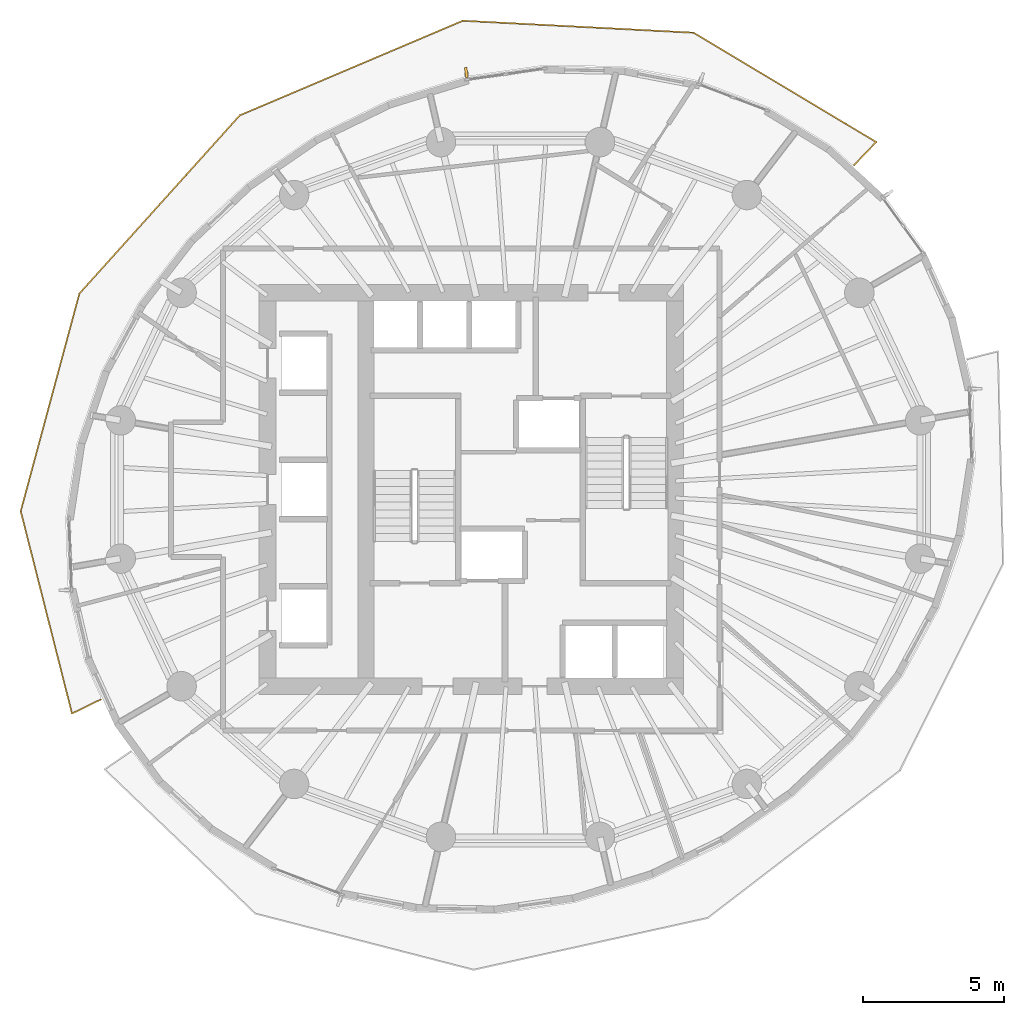
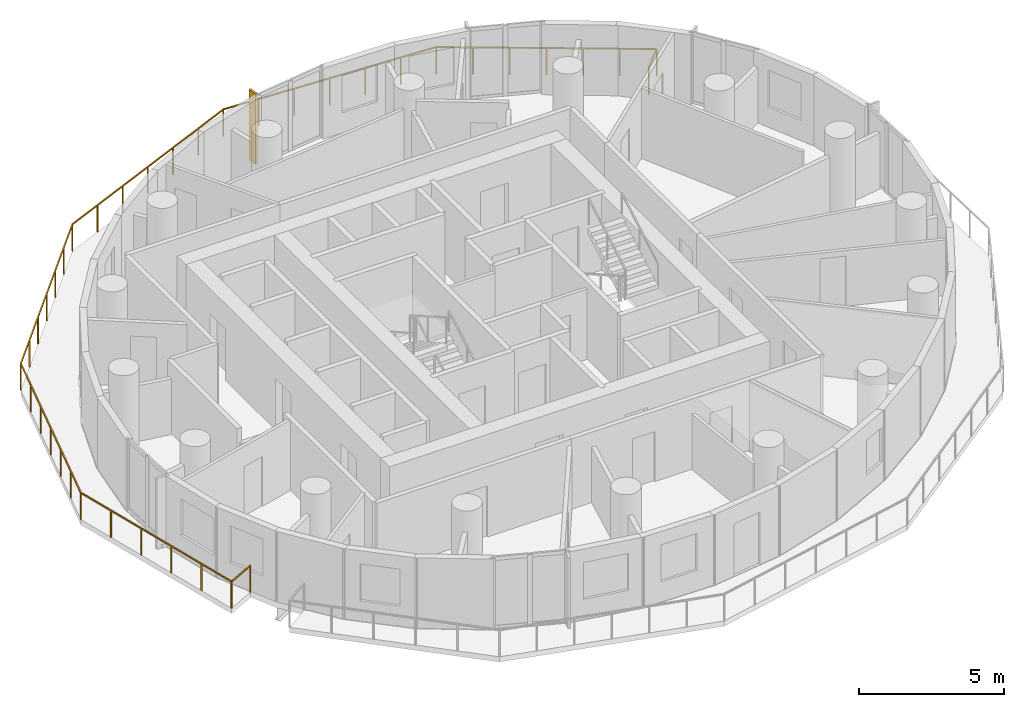
# One storey, part 13 of 14: 1 railing, 1 shading device.
"""IFC4 building model written with IfcOpenShell, lengths in metres."""

from ifc_helpers import new_model, si_unit, direction, frame, origin, origin_2d, place, context, subcontext, project, spatial, rectangle, extrude, material, layer, layer_set, type_object, element, save


model = new_model("IFC4")

# Units and contexts
model_context = context("Model", 3, precision=1e-05, world=origin(), true_north=direction((0.0, 1.0)))
body_context = subcontext(model_context, "Body", "Model", "MODEL_VIEW")
ifc_project = project(units=[si_unit("LENGTHUNIT", "METRE"), si_unit("AREAUNIT", "SQUARE_METRE"), si_unit("VOLUMEUNIT", "CUBIC_METRE"), si_unit("PLANEANGLEUNIT", "RADIAN"), si_unit("MASSUNIT", "GRAM", prefix="KILO")], contexts=[model_context])

# Site, building, storey
site_placement = place(None, origin())
site = spatial("IfcSite", under=ifc_project, at=site_placement, CompositionType="ELEMENT")
building_placement = place(site_placement, origin())
building = spatial("IfcBuilding", under=site, at=building_placement, Name="Veldorim Arch Residences", CompositionType="ELEMENT")
storey_placement = place(building_placement, frame((0.0, 0.0, 126.56005859375)))
storey = spatial("IfcBuildingStorey", under=building, at=storey_placement, Name="L37", CompositionType="ELEMENT", Elevation=126.56005859375)

# Railing
ifc_material_1 = material(Name="Aluminium", Category="aluminium")
railing_type = type_object("IfcRailingType", Name="Balcony & Terrace Laminated Glass Balustrade 1150", PredefinedType="BALUSTRADE", material=ifc_material_1)
railing_placement = place(storey_placement, frame((43.863037109375, 35.533447265625, 0.0)))
element("IfcRailing", 1, at=railing_placement, inside=storey, type_object=railing_type, Name="L37 crescent balcony safety balustrade A", PredefinedType="BALUSTRADE", context=body_context, shape_type="SweptSolid", body=[
    extrude(rectangle(XDim=0.048095703125, YDim=0.048095703125, at=origin_2d()), frame((0.0, 0.0, 1.1259765625), z_axis=(0.692306414723, 0.721603650305, 0.0), x_axis=(-0.721603650305, 0.692306414723, 0.0)), (0.0, 0.0, 1.0), 1.14990234375),
    extrude(rectangle(XDim=0.048095703125, YDim=0.048095703125, at=origin_2d()), frame((0.796142578125, 0.829833984375, 1.1259765625), z_axis=(-0.857944702199, 0.51374204419, 0.0), x_axis=(-0.51374204419, -0.857944702199, 0.0)), (0.0, 0.0, 1.0), 7.575927734375),
    extrude(rectangle(XDim=0.048095703125, YDim=0.048095703125, at=origin_2d()), frame((-5.70361328125, 4.721923828125, 1.1259765625), z_axis=(-0.9986577375, 0.051795012615, 0.0), x_axis=(-0.051795012615, -0.9986577375, 0.0)), (0.0, 0.0, 1.0), 8.220458984375),
    extrude(rectangle(XDim=0.048095703125, YDim=0.048095703125, at=origin_2d()), frame((-13.9130859375, 5.147705078125, 1.1259765625), z_axis=(-0.920610468256, -0.39048222205, 0.0), x_axis=(0.39048222205, -0.920610468256, 0.0)), (0.0, 0.0, 1.0), 8.62255859375),
    extrude(rectangle(XDim=0.048095703125, YDim=0.048095703125, at=origin_2d()), frame((-21.85107421875, 1.78076171875, 1.1259765625), z_axis=(-0.668980537933, -0.743279920263, 0.0), x_axis=(0.743279920263, -0.668980537933, 0.0)), (0.0, 0.0, 1.0), 8.533447265625),
    extrude(rectangle(XDim=0.048095703125, YDim=0.048095703125, at=origin_2d()), frame((-27.559814453125, -4.56201171875, 1.1259765625), z_axis=(-0.26021582334, -0.965550477854, 0.0), x_axis=(0.965550477854, -0.26021582334, 0.0)), (0.0, 0.0, 1.0), 8.02001953125),
    extrude(rectangle(XDim=0.048095703125, YDim=0.048095703125, at=origin_2d()), frame((-29.646728515625, -12.3056640625, 1.1259765625), z_axis=(0.245751019277, -0.969332985369, 0.0), x_axis=(0.969332985369, 0.245751019277, 0.0)), (0.0, 0.0, 1.0), 7.428955078125),
    extrude(rectangle(XDim=0.048095703125, YDim=0.048095703125, at=origin_2d()), frame((-27.821044921875, -19.5068359375, 1.1259765625), z_axis=(0.898590875034, 0.438787464846, 0.0), x_axis=(-0.438787464846, 0.898590875034, 0.0)), (0.0, 0.0, 1.0), 1.150146484375),
    extrude(rectangle(XDim=0.0419921875, YDim=0.0419921875, at=origin_2d()), origin(), (0.0, 0.0, 1.0), 1.101806640625),
    extrude(rectangle(XDim=0.0419921875, YDim=0.0419921875, at=origin_2d()), frame((0.796142578125, 0.829833984375, 0.0)), (0.0, 0.0, 1.0), 1.101806640625),
    extrude(rectangle(XDim=0.0419921875, YDim=0.0419921875, at=origin_2d()), frame((-0.287109375, 1.478515625, 0.0)), (0.0, 0.0, 1.0), 1.101806640625),
    extrude(rectangle(XDim=0.0419921875, YDim=0.0419921875, at=origin_2d()), frame((-1.370361328125, 2.127197265625, 0.0)), (0.0, 0.0, 1.0), 1.101806640625),
    extrude(rectangle(XDim=0.0419921875, YDim=0.0419921875, at=origin_2d()), frame((-2.45361328125, 2.77587890625, 0.0)), (0.0, 0.0, 1.0), 1.101806640625),
    extrude(rectangle(XDim=0.0419921875, YDim=0.0419921875, at=origin_2d()), frame((-3.537109375, 3.424560546875, 0.0)), (0.0, 0.0, 1.0), 1.101806640625),
    extrude(rectangle(XDim=0.0419921875, YDim=0.0419921875, at=origin_2d()), frame((-4.620361328125, 4.0732421875, 0.0)), (0.0, 0.0, 1.0), 1.101806640625),
    extrude(rectangle(XDim=0.0419921875, YDim=0.0419921875, at=origin_2d()), frame((-5.70361328125, 4.721923828125, 0.0)), (0.0, 0.0, 1.0), 1.101806640625),
    extrude(rectangle(XDim=0.0419921875, YDim=0.0419921875, at=origin_2d()), frame((-7.07177734375, 4.79296875, 0.0)), (0.0, 0.0, 1.0), 1.101806640625),
    extrude(rectangle(XDim=0.0419921875, YDim=0.0419921875, at=origin_2d()), frame((-8.440185546875, 4.86376953125, 0.0)), (0.0, 0.0, 1.0), 1.101806640625),
    extrude(rectangle(XDim=0.0419921875, YDim=0.0419921875, at=origin_2d()), frame((-9.808349609375, 4.934814453125, 0.0)), (0.0, 0.0, 1.0), 1.101806640625),
    extrude(rectangle(XDim=0.0419921875, YDim=0.0419921875, at=origin_2d()), frame((-11.176513671875, 5.005859375, 0.0)), (0.0, 0.0, 1.0), 1.101806640625),
    extrude(rectangle(XDim=0.0419921875, YDim=0.0419921875, at=origin_2d()), frame((-12.544921875, 5.07666015625, 0.0)), (0.0, 0.0, 1.0), 1.101806640625),
    extrude(rectangle(XDim=0.0419921875, YDim=0.0419921875, at=origin_2d()), frame((-13.9130859375, 5.147705078125, 0.0)), (0.0, 0.0, 1.0), 1.101806640625),
    extrude(rectangle(XDim=0.0419921875, YDim=0.0419921875, at=origin_2d()), frame((-15.236083984375, 4.58642578125, 0.0)), (0.0, 0.0, 1.0), 1.101806640625),
    extrude(rectangle(XDim=0.0419921875, YDim=0.0419921875, at=origin_2d()), frame((-16.55908203125, 4.025390625, 0.0)), (0.0, 0.0, 1.0), 1.101806640625),
    extrude(rectangle(XDim=0.0419921875, YDim=0.0419921875, at=origin_2d()), frame((-17.882080078125, 3.46435546875, 0.0)), (0.0, 0.0, 1.0), 1.101806640625),
    extrude(rectangle(XDim=0.0419921875, YDim=0.0419921875, at=origin_2d()), frame((-19.205078125, 2.903076171875, 0.0)), (0.0, 0.0, 1.0), 1.101806640625),
    extrude(rectangle(XDim=0.0419921875, YDim=0.0419921875, at=origin_2d()), frame((-20.528076171875, 2.341796875, 0.0)), (0.0, 0.0, 1.0), 1.101806640625),
    extrude(rectangle(XDim=0.0419921875, YDim=0.0419921875, at=origin_2d()), frame((-21.85107421875, 1.78076171875, 0.0)), (0.0, 0.0, 1.0), 1.101806640625),
    extrude(rectangle(XDim=0.0419921875, YDim=0.0419921875, at=origin_2d()), frame((-22.802490234375, 0.7236328125, 0.0)), (0.0, 0.0, 1.0), 1.101806640625),
    extrude(rectangle(XDim=0.0419921875, YDim=0.0419921875, at=origin_2d()), frame((-23.75390625, -0.33349609375, 0.0)), (0.0, 0.0, 1.0), 1.101806640625),
    extrude(rectangle(XDim=0.0419921875, YDim=0.0419921875, at=origin_2d()), frame((-24.70556640625, -1.390625, 0.0)), (0.0, 0.0, 1.0), 1.101806640625),
    extrude(rectangle(XDim=0.0419921875, YDim=0.0419921875, at=origin_2d()), frame((-25.656982421875, -2.44775390625, 0.0)), (0.0, 0.0, 1.0), 1.101806640625),
    extrude(rectangle(XDim=0.0419921875, YDim=0.0419921875, at=origin_2d()), frame((-26.6083984375, -3.5048828125, 0.0)), (0.0, 0.0, 1.0), 1.101806640625),
    extrude(rectangle(XDim=0.0419921875, YDim=0.0419921875, at=origin_2d()), frame((-27.559814453125, -4.56201171875, 0.0)), (0.0, 0.0, 1.0), 1.101806640625),
    extrude(rectangle(XDim=0.0419921875, YDim=0.0419921875, at=origin_2d()), frame((-27.90771484375, -5.8525390625, 0.0)), (0.0, 0.0, 1.0), 1.101806640625),
    extrude(rectangle(XDim=0.0419921875, YDim=0.0419921875, at=origin_2d()), frame((-28.25537109375, -7.143310546875, 0.0)), (0.0, 0.0, 1.0), 1.101806640625),
    extrude(rectangle(XDim=0.0419921875, YDim=0.0419921875, at=origin_2d()), frame((-28.603271484375, -8.433837890625, 0.0)), (0.0, 0.0, 1.0), 1.101806640625),
    extrude(rectangle(XDim=0.0419921875, YDim=0.0419921875, at=origin_2d()), frame((-28.951171875, -9.724365234375, 0.0)), (0.0, 0.0, 1.0), 1.101806640625),
    extrude(rectangle(XDim=0.0419921875, YDim=0.0419921875, at=origin_2d()), frame((-29.298828125, -11.01513671875, 0.0)), (0.0, 0.0, 1.0), 1.101806640625),
    extrude(rectangle(XDim=0.0419921875, YDim=0.0419921875, at=origin_2d()), frame((-29.646728515625, -12.3056640625, 0.0)), (0.0, 0.0, 1.0), 1.101806640625),
    extrude(rectangle(XDim=0.0419921875, YDim=0.0419921875, at=origin_2d()), frame((-29.281494140625, -13.745849609375, 0.0)), (0.0, 0.0, 1.0), 1.101806640625),
    extrude(rectangle(XDim=0.0419921875, YDim=0.0419921875, at=origin_2d()), frame((-28.91650390625, -15.18603515625, 0.0)), (0.0, 0.0, 1.0), 1.101806640625),
    extrude(rectangle(XDim=0.0419921875, YDim=0.0419921875, at=origin_2d()), frame((-28.55126953125, -16.62646484375, 0.0)), (0.0, 0.0, 1.0), 1.101806640625),
    extrude(rectangle(XDim=0.0419921875, YDim=0.0419921875, at=origin_2d()), frame((-28.186279296875, -18.066650390625, 0.0)), (0.0, 0.0, 1.0), 1.101806640625),
    extrude(rectangle(XDim=0.0419921875, YDim=0.0419921875, at=origin_2d()), frame((-27.821044921875, -19.5068359375, 0.0)), (0.0, 0.0, 1.0), 1.101806640625),
    extrude(rectangle(XDim=0.0419921875, YDim=0.0419921875, at=origin_2d()), frame((-26.78759765625, -19.002197265625, 0.0)), (0.0, 0.0, 1.0), 1.101806640625),
])

# Shading device
ifc_material_2 = material(Name="Terracotta Ceramic", Category="masonry")
ifc_layer = layer(ifc_material_2, 0.090087890625, Name="Vertical Extruded Terracotta Baguette Sun-Shading Fin")
ifc_layer_set = layer_set([ifc_layer], Name="Terracotta Ceramic")
shading_device_type = type_object("IfcShadingDeviceType", Name="Vertical Extruded Terracotta Baguette Sun-Shading Fin", PredefinedType="USERDEFINED", material=ifc_layer_set)
shading_device_placement = place(storey_placement, frame((30.07275390625, 38.84228515625, 0.0), z_axis=(0.0, 0.0, 1.0), x_axis=(0.989850775563, 0.142110668555, 0.0)))
element("IfcShadingDevice", 2, at=shading_device_placement, inside=storey, type_object=shading_device_type, Name="L37 vertical terracotta sun-shading fin 07", ObjectType="FIN", PredefinedType="USERDEFINED", context=body_context, shape_type="SweptSolid", body=[
    extrude(rectangle(XDim=0.090087890625, YDim=0.360107421875, at=origin_2d()), origin(), (0.0, 0.0, 1.0), 2.9599609375),
])

save(model, "model.ifc")
